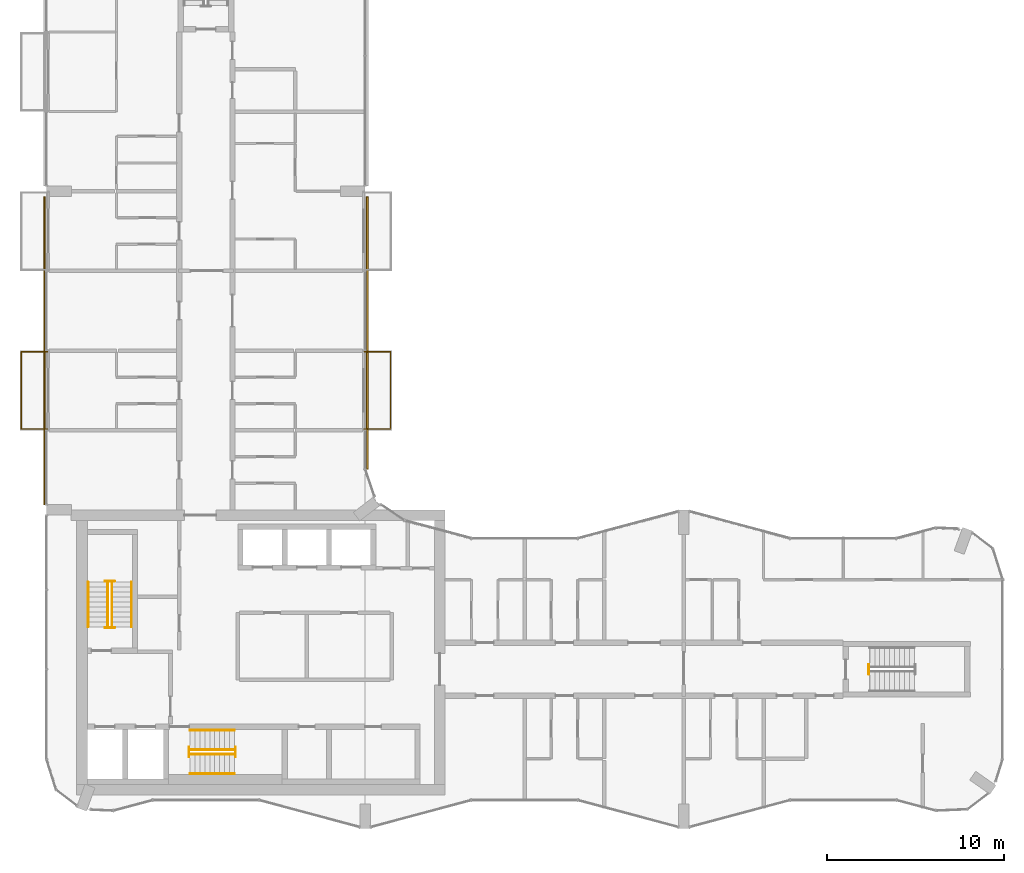
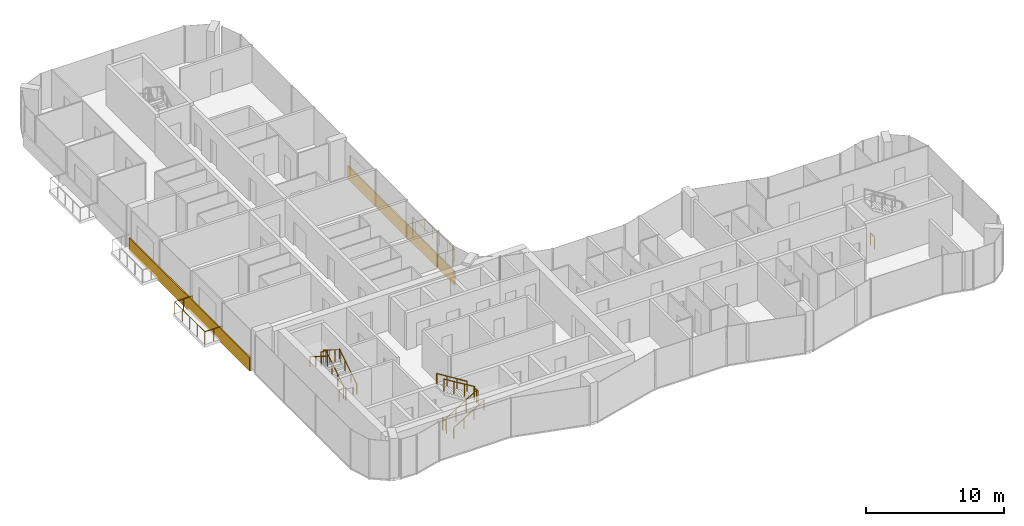
# One storey, part 14 of 16: 15 railings, 2 coverings.
"""IFC4 building model written with IfcOpenShell, lengths in metres."""

from ifc_helpers import new_model, si_unit, direction, frame, origin, origin_2d, place, context, subcontext, project, spatial, rectangle, circle, extrude, material, layer, layer_set, type_object, element, save


model = new_model("IFC4")

# Units and contexts
model_context = context("Model", 3, precision=1e-05, world=origin(), true_north=direction((0.0, 1.0)))
body_context = subcontext(model_context, "Body", "Model", "MODEL_VIEW")
ifc_project = project(units=[si_unit("LENGTHUNIT", "METRE"), si_unit("AREAUNIT", "SQUARE_METRE"), si_unit("VOLUMEUNIT", "CUBIC_METRE"), si_unit("PLANEANGLEUNIT", "RADIAN"), si_unit("MASSUNIT", "GRAM", prefix="KILO")], contexts=[model_context])

# Site, building, storey
site_placement = place(None, origin())
site = spatial("IfcSite", under=ifc_project, at=site_placement, CompositionType="ELEMENT")
building_placement = place(site_placement, origin())
building = spatial("IfcBuilding", under=site, at=building_placement, Name="Plateau Cross Towers", CompositionType="ELEMENT")
storey_placement = place(building_placement, frame((0.0, 0.0, 167.39990234375)))
storey = spatial("IfcBuildingStorey", under=building, at=storey_placement, Name="L43", CompositionType="ELEMENT", Elevation=167.39990234375)

# Railings
ifc_material_1 = material(Name="Stainless steel and toughened glass", Category="steel")
railing_type_1 = type_object("IfcRailingType", Name="Glass balustrade guard 1100", PredefinedType="GUARDRAIL", material=ifc_material_1)
railing_1_placement = place(storey_placement, frame((0.050048828125, 22.570068359375, 0.0)))
element("IfcRailing", 1, at=railing_1_placement, inside=storey, type_object=railing_type_1, Name="Guard guard1", PredefinedType="GUARDRAIL", context=body_context, shape_type="SweptSolid", body=[
    extrude(circle(Radius=0.02392578125, at=origin_2d()), frame((0.0, 0.0, 1.076171875), z_axis=(-1.0, 0.0, 0.0), x_axis=(0.0, -1.0, 0.0)), (0.0, 0.0, 1.0), 1.47998046875),
    extrude(circle(Radius=0.02392578125, at=origin_2d()), frame((-1.47998046875, 0.0, 1.076171875), z_axis=(0.0, 1.0, 0.0), x_axis=(-1.0, 0.0, 0.0)), (0.0, 0.0, 1.0), 4.35986328125),
    extrude(circle(Radius=0.02392578125, at=origin_2d()), frame((-1.47998046875, 4.35986328125, 1.076171875), z_axis=(1.0, 0.0, 0.0), x_axis=(0.0, 1.0, 0.0)), (0.0, 0.0, 1.0), 1.47998046875),
    extrude(circle(Radius=0.02099609375, at=origin_2d()), origin(), (0.0, 0.0, 1.0), 1.052001953125),
    extrude(circle(Radius=0.02099609375, at=origin_2d()), frame((-0.739990234375, 0.0, 0.0)), (0.0, 0.0, 1.0), 1.052001953125),
    extrude(circle(Radius=0.02099609375, at=origin_2d()), frame((-1.47998046875, 0.0, 0.0)), (0.0, 0.0, 1.0), 1.052001953125),
    extrude(circle(Radius=0.02099609375, at=origin_2d()), frame((-1.47998046875, 1.08984375, 0.0)), (0.0, 0.0, 1.0), 1.052001953125),
    extrude(circle(Radius=0.02099609375, at=origin_2d()), frame((-1.47998046875, 2.179931640625, 0.0)), (0.0, 0.0, 1.0), 1.052001953125),
    extrude(circle(Radius=0.02099609375, at=origin_2d()), frame((-1.47998046875, 3.27001953125, 0.0)), (0.0, 0.0, 1.0), 1.052001953125),
    extrude(circle(Radius=0.02099609375, at=origin_2d()), frame((-1.47998046875, 4.35986328125, 0.0)), (0.0, 0.0, 1.0), 1.052001953125),
    extrude(circle(Radius=0.02099609375, at=origin_2d()), frame((-0.739990234375, 4.35986328125, 0.0)), (0.0, 0.0, 1.0), 1.052001953125),
    extrude(circle(Radius=0.02099609375, at=origin_2d()), frame((0.0, 4.35986328125, 0.0)), (0.0, 0.0, 1.0), 1.052001953125),
])
railing_2_placement = place(storey_placement, frame((17.949951171875, 26.929931640625, 0.0)))
element("IfcRailing", 2, at=railing_2_placement, inside=storey, type_object=railing_type_1, Name="Guard guard1", PredefinedType="GUARDRAIL", context=body_context, shape_type="SweptSolid", body=[
    extrude(circle(Radius=0.02392578125, at=origin_2d()), frame((0.0, 0.0, 1.076171875), z_axis=(1.0, 0.0, 0.0), x_axis=(0.0, 1.0, 0.0)), (0.0, 0.0, 1.0), 1.47998046875),
    extrude(circle(Radius=0.02392578125, at=origin_2d()), frame((1.47998046875, 0.0, 1.076171875), z_axis=(0.0, -1.0, 0.0), x_axis=(1.0, 0.0, 0.0)), (0.0, 0.0, 1.0), 4.35986328125),
    extrude(circle(Radius=0.02392578125, at=origin_2d()), frame((1.47998046875, -4.35986328125, 1.076171875), z_axis=(-1.0, 0.0, 0.0), x_axis=(0.0, -1.0, 0.0)), (0.0, 0.0, 1.0), 1.47998046875),
    extrude(circle(Radius=0.02099609375, at=origin_2d()), origin(), (0.0, 0.0, 1.0), 1.052001953125),
    extrude(circle(Radius=0.02099609375, at=origin_2d()), frame((0.739990234375, 0.0, 0.0)), (0.0, 0.0, 1.0), 1.052001953125),
    extrude(circle(Radius=0.02099609375, at=origin_2d()), frame((1.47998046875, 0.0, 0.0)), (0.0, 0.0, 1.0), 1.052001953125),
    extrude(circle(Radius=0.02099609375, at=origin_2d()), frame((1.47998046875, -1.08984375, 0.0)), (0.0, 0.0, 1.0), 1.052001953125),
    extrude(circle(Radius=0.02099609375, at=origin_2d()), frame((1.47998046875, -2.179931640625, 0.0)), (0.0, 0.0, 1.0), 1.052001953125),
    extrude(circle(Radius=0.02099609375, at=origin_2d()), frame((1.47998046875, -3.27001953125, 0.0)), (0.0, 0.0, 1.0), 1.052001953125),
    extrude(circle(Radius=0.02099609375, at=origin_2d()), frame((1.47998046875, -4.35986328125, 0.0)), (0.0, 0.0, 1.0), 1.052001953125),
    extrude(circle(Radius=0.02099609375, at=origin_2d()), frame((0.739990234375, -4.35986328125, 0.0)), (0.0, 0.0, 1.0), 1.052001953125),
    extrude(circle(Radius=0.02099609375, at=origin_2d()), frame((0.0, -4.35986328125, 0.0)), (0.0, 0.0, 1.0), 1.052001953125),
])
railing_type_2 = type_object("IfcRailingType", Name="RL-GUARD-1100", PredefinedType="GUARDRAIL", material=ifc_material_1)
railing_3_placement = place(storey_placement, frame((3.699951171875, 11.39990234375, 0.175048828125)))
element("IfcRailing", 3, at=railing_3_placement, inside=storey, type_object=railing_type_2, Name="L43 ST-1 stair guard 1", PredefinedType="GUARDRAIL", context=body_context, shape_type="SweptSolid", body=[
    extrude(circle(Radius=0.02392578125, at=origin_2d()), frame((0.0, 0.0, 1.076171875), z_axis=(0.0, 0.848007534815, 0.529984170421), x_axis=(-1.0, 0.0, 0.0)), (0.0, 0.0, 1.0), 2.9716796875),
    extrude(circle(Radius=0.02099609375, at=origin_2d()), origin(), (0.0, 0.0, 1.0), 1.052001953125),
    extrude(circle(Radius=0.02099609375, at=origin_2d()), frame((0.0, 0.840087890625, 0.52490234375)), (0.0, 0.0, 1.0), 1.052001953125),
    extrude(circle(Radius=0.02099609375, at=origin_2d()), frame((0.0, 1.679931640625, 1.050048828125)), (0.0, 0.0, 1.0), 1.052001953125),
    extrude(circle(Radius=0.02099609375, at=origin_2d()), frame((0.0, 2.52001953125, 1.574951171875)), (0.0, 0.0, 1.0), 1.052001953125),
])
railing_4_placement = place(storey_placement, frame((3.85009765625, 13.969970703125, 1.75)))
element("IfcRailing", 4, at=railing_4_placement, inside=storey, type_object=railing_type_2, Name="L43 ST-1 stair guard 2", PredefinedType="GUARDRAIL", context=body_context, shape_type="SweptSolid", body=[
    extrude(circle(Radius=0.02392578125, at=origin_2d()), frame((0.0, 0.0, 1.076171875), z_axis=(-1.0, 0.0, 0.0), x_axis=(0.0, -1.0, 0.0)), (0.0, 0.0, 1.0), 0.550048828125),
    extrude(circle(Radius=0.02099609375, at=origin_2d()), origin(), (0.0, 0.0, 1.0), 1.052001953125),
    extrude(circle(Radius=0.02099609375, at=origin_2d()), frame((-0.550048828125, 0.0, 0.0)), (0.0, 0.0, 1.0), 1.052001953125),
])
railing_5_placement = place(storey_placement, frame((3.449951171875, 13.919921875, 1.925048828125)))
element("IfcRailing", 5, at=railing_5_placement, inside=storey, type_object=railing_type_2, Name="L43 ST-1 stair guard 3", PredefinedType="GUARDRAIL", context=body_context, shape_type="SweptSolid", body=[
    extrude(circle(Radius=0.02392578125, at=origin_2d()), frame((0.0, 0.0, 1.076171875), z_axis=(0.0, -0.852616386126, 0.522537365276), x_axis=(1.0, 0.0, 0.0)), (0.0, 0.0, 1.0), 3.01416015625),
    extrude(circle(Radius=0.02099609375, at=origin_2d()), origin(), (0.0, 0.0, 1.0), 1.052001953125),
    extrude(circle(Radius=0.02099609375, at=origin_2d()), frame((0.0, -0.856689453125, 0.52490234375)), (0.0, 0.0, 1.0), 1.052001953125),
    extrude(circle(Radius=0.02099609375, at=origin_2d()), frame((0.0, -1.713134765625, 1.050048828125)), (0.0, 0.0, 1.0), 1.052001953125),
    extrude(circle(Radius=0.02099609375, at=origin_2d()), frame((0.0, -2.56982421875, 1.574951171875)), (0.0, 0.0, 1.0), 1.052001953125),
])
railing_6_placement = place(storey_placement, frame((3.85009765625, 11.35009765625, 0.0)))
element("IfcRailing", 6, at=railing_6_placement, inside=storey, type_object=railing_type_2, Name="L43 ST-1 stair guard 4", PredefinedType="GUARDRAIL", context=body_context, shape_type="SweptSolid", body=[
    extrude(circle(Radius=0.02392578125, at=origin_2d()), frame((0.0, 0.0, 1.076171875), z_axis=(-1.0, 0.0, 0.0), x_axis=(0.0, -1.0, 0.0)), (0.0, 0.0, 1.0), 0.550048828125),
    extrude(circle(Radius=0.02099609375, at=origin_2d()), origin(), (0.0, 0.0, 1.0), 1.052001953125),
    extrude(circle(Radius=0.02099609375, at=origin_2d()), frame((-0.550048828125, 0.0, 0.0)), (0.0, 0.0, 1.0), 1.052001953125),
])
railing_7_placement = place(storey_placement, frame((8.10009765625, 4.199951171875, 0.175048828125)))
element("IfcRailing", 7, at=railing_7_placement, inside=storey, type_object=railing_type_2, Name="L43 ST-2 stair guard 1", PredefinedType="GUARDRAIL", context=body_context, shape_type="SweptSolid", body=[
    extrude(circle(Radius=0.02392578125, at=origin_2d()), frame((0.0, 0.0, 1.076171875), z_axis=(0.848007534815, 0.0, 0.529984170421), x_axis=(0.0, 1.0, 0.0)), (0.0, 0.0, 1.0), 2.9716796875),
    extrude(circle(Radius=0.02099609375, at=origin_2d()), origin(), (0.0, 0.0, 1.0), 1.052001953125),
    extrude(circle(Radius=0.02099609375, at=origin_2d()), frame((0.840087890625, 0.0, 0.52490234375)), (0.0, 0.0, 1.0), 1.052001953125),
    extrude(circle(Radius=0.02099609375, at=origin_2d()), frame((1.679931640625, 0.0, 1.050048828125)), (0.0, 0.0, 1.0), 1.052001953125),
    extrude(circle(Radius=0.02099609375, at=origin_2d()), frame((2.52001953125, 0.0, 1.574951171875)), (0.0, 0.0, 1.0), 1.052001953125),
])
railing_8_placement = place(storey_placement, frame((10.669921875, 4.050048828125, 1.75)))
element("IfcRailing", 8, at=railing_8_placement, inside=storey, type_object=railing_type_2, Name="L43 ST-2 stair guard 2", PredefinedType="GUARDRAIL", context=body_context, shape_type="SweptSolid", body=[
    extrude(circle(Radius=0.02392578125, at=origin_2d()), frame((0.0, 0.0, 1.076171875), z_axis=(0.0, 1.0, 0.0), x_axis=(-1.0, 0.0, 0.0)), (0.0, 0.0, 1.0), 0.550048828125),
    extrude(circle(Radius=0.02099609375, at=origin_2d()), origin(), (0.0, 0.0, 1.0), 1.052001953125),
    extrude(circle(Radius=0.02099609375, at=origin_2d()), frame((0.0, 0.550048828125, 0.0)), (0.0, 0.0, 1.0), 1.052001953125),
])
railing_9_placement = place(storey_placement, frame((10.6201171875, 4.449951171875, 1.925048828125)))
element("IfcRailing", 9, at=railing_9_placement, inside=storey, type_object=railing_type_2, Name="L43 ST-2 stair guard 3", PredefinedType="GUARDRAIL", context=body_context, shape_type="SweptSolid", body=[
    extrude(circle(Radius=0.02392578125, at=origin_2d()), frame((0.0, 0.0, 1.076171875), z_axis=(-0.852638500773, 0.0, 0.522501279423), x_axis=(0.0, -1.0, 0.0)), (0.0, 0.0, 1.0), 3.01416015625),
    extrude(circle(Radius=0.02099609375, at=origin_2d()), origin(), (0.0, 0.0, 1.0), 1.052001953125),
    extrude(circle(Radius=0.02099609375, at=origin_2d()), frame((-0.856689453125, 0.0, 0.52490234375)), (0.0, 0.0, 1.0), 1.052001953125),
    extrude(circle(Radius=0.02099609375, at=origin_2d()), frame((-1.71337890625, 0.0, 1.050048828125)), (0.0, 0.0, 1.0), 1.052001953125),
    extrude(circle(Radius=0.02099609375, at=origin_2d()), frame((-2.570068359375, 0.0, 1.574951171875)), (0.0, 0.0, 1.0), 1.052001953125),
])
railing_10_placement = place(storey_placement, frame((8.050048828125, 4.050048828125, 0.0)))
element("IfcRailing", 10, at=railing_10_placement, inside=storey, type_object=railing_type_2, Name="L43 ST-2 stair guard 4", PredefinedType="GUARDRAIL", context=body_context, shape_type="SweptSolid", body=[
    extrude(circle(Radius=0.02392578125, at=origin_2d()), frame((0.0, 0.0, 1.076171875), z_axis=(0.0, 1.0, 0.0), x_axis=(-1.0, 0.0, 0.0)), (0.0, 0.0, 1.0), 0.550048828125),
    extrude(circle(Radius=0.02099609375, at=origin_2d()), origin(), (0.0, 0.0, 1.0), 1.052001953125),
    extrude(circle(Radius=0.02099609375, at=origin_2d()), frame((0.0, 0.550048828125, 0.0)), (0.0, 0.0, 1.0), 1.052001953125),
])
railing_11_placement = place(storey_placement, frame((46.449951171875, 8.72509765625, 0.0)))
element("IfcRailing", 11, at=railing_11_placement, inside=storey, type_object=railing_type_2, Name="L43 ES-E stair guard 4", PredefinedType="GUARDRAIL", context=body_context, shape_type="SweptSolid", body=[
    extrude(circle(Radius=0.02392578125, at=origin_2d()), frame((0.0, 0.0, 1.076171875), z_axis=(0.0, 1.0, 0.0), x_axis=(-1.0, 0.0, 0.0)), (0.0, 0.0, 1.0), 0.5498046875),
    extrude(circle(Radius=0.02099609375, at=origin_2d()), origin(), (0.0, 0.0, 1.0), 1.052001953125),
    extrude(circle(Radius=0.02099609375, at=origin_2d()), frame((0.0, 0.5498046875, 0.0)), (0.0, 0.0, 1.0), 1.052001953125),
])
ifc_material_2 = material(Name="Black anodised aluminium", Category="aluminium")
railing_type_3 = type_object("IfcRailingType", Name="RL-HANDRAIL-900", PredefinedType="HANDRAIL", material=ifc_material_2)
railing_12_placement = place(storey_placement, frame((4.800048828125, 11.39990234375, 0.175048828125)))
element("IfcRailing", 12, at=railing_12_placement, inside=storey, type_object=railing_type_3, Name="L43 ST-1 stair handrail 1", PredefinedType="HANDRAIL", context=body_context, shape_type="SweptSolid", body=[
    extrude(circle(Radius=0.02392578125, at=origin_2d()), frame((0.0, 0.0, 0.8759765625), z_axis=(0.0, 0.848007534815, 0.529984170421), x_axis=(-1.0, 0.0, 0.0)), (0.0, 0.0, 1.0), 2.9716796875),
    extrude(circle(Radius=0.02099609375, at=origin_2d()), origin(), (0.0, 0.0, 1.0), 0.851806640625),
    extrude(circle(Radius=0.02099609375, at=origin_2d()), frame((0.0, 0.840087890625, 0.52490234375)), (0.0, 0.0, 1.0), 0.851806640625),
    extrude(circle(Radius=0.02099609375, at=origin_2d()), frame((0.0, 1.679931640625, 1.050048828125)), (0.0, 0.0, 1.0), 0.851806640625),
    extrude(circle(Radius=0.02099609375, at=origin_2d()), frame((0.0, 2.52001953125, 1.574951171875)), (0.0, 0.0, 1.0), 0.851806640625),
])
railing_13_placement = place(storey_placement, frame((2.35009765625, 13.919921875, 1.925048828125)))
element("IfcRailing", 13, at=railing_13_placement, inside=storey, type_object=railing_type_3, Name="L43 ST-1 stair handrail 2", PredefinedType="HANDRAIL", context=body_context, shape_type="SweptSolid", body=[
    extrude(circle(Radius=0.02392578125, at=origin_2d()), frame((0.0, 0.0, 0.8759765625), z_axis=(0.0, -0.848007534815, 0.529984170421), x_axis=(1.0, 0.0, 0.0)), (0.0, 0.0, 1.0), 2.9716796875),
    extrude(circle(Radius=0.02099609375, at=origin_2d()), origin(), (0.0, 0.0, 1.0), 0.851806640625),
    extrude(circle(Radius=0.02099609375, at=origin_2d()), frame((0.0, -0.840087890625, 0.52490234375)), (0.0, 0.0, 1.0), 0.851806640625),
    extrude(circle(Radius=0.02099609375, at=origin_2d()), frame((0.0, -1.679931640625, 1.050048828125)), (0.0, 0.0, 1.0), 0.851806640625),
    extrude(circle(Radius=0.02099609375, at=origin_2d()), frame((0.0, -2.52001953125, 1.574951171875)), (0.0, 0.0, 1.0), 0.851806640625),
])
railing_14_placement = place(storey_placement, frame((8.10009765625, 3.10009765625, 0.175048828125)))
element("IfcRailing", 14, at=railing_14_placement, inside=storey, type_object=railing_type_3, Name="L43 ST-2 stair handrail 1", PredefinedType="HANDRAIL", context=body_context, shape_type="SweptSolid", body=[
    extrude(circle(Radius=0.02392578125, at=origin_2d()), frame((0.0, 0.0, 0.8759765625), z_axis=(0.848007534815, 0.0, 0.529984170421), x_axis=(0.0, 1.0, 0.0)), (0.0, 0.0, 1.0), 2.9716796875),
    extrude(circle(Radius=0.02099609375, at=origin_2d()), origin(), (0.0, 0.0, 1.0), 0.851806640625),
    extrude(circle(Radius=0.02099609375, at=origin_2d()), frame((0.840087890625, 0.0, 0.52490234375)), (0.0, 0.0, 1.0), 0.851806640625),
    extrude(circle(Radius=0.02099609375, at=origin_2d()), frame((1.679931640625, 0.0, 1.050048828125)), (0.0, 0.0, 1.0), 0.851806640625),
    extrude(circle(Radius=0.02099609375, at=origin_2d()), frame((2.52001953125, 0.0, 1.574951171875)), (0.0, 0.0, 1.0), 0.851806640625),
])
railing_15_placement = place(storey_placement, frame((10.6201171875, 5.550048828125, 1.925048828125)))
element("IfcRailing", 15, at=railing_15_placement, inside=storey, type_object=railing_type_3, Name="L43 ST-2 stair handrail 2", PredefinedType="HANDRAIL", context=body_context, shape_type="SweptSolid", body=[
    extrude(circle(Radius=0.02392578125, at=origin_2d()), frame((0.0, 0.0, 0.8759765625), z_axis=(-0.848007534815, 0.0, 0.529984170421), x_axis=(0.0, -1.0, 0.0)), (0.0, 0.0, 1.0), 2.9716796875),
    extrude(circle(Radius=0.02099609375, at=origin_2d()), origin(), (0.0, 0.0, 1.0), 0.851806640625),
    extrude(circle(Radius=0.02099609375, at=origin_2d()), frame((-0.840087890625, 0.0, 0.52490234375)), (0.0, 0.0, 1.0), 0.851806640625),
    extrude(circle(Radius=0.02099609375, at=origin_2d()), frame((-1.679931640625, 0.0, 1.050048828125)), (0.0, 0.0, 1.0), 0.851806640625),
    extrude(circle(Radius=0.02099609375, at=origin_2d()), frame((-2.52001953125, 0.0, 1.574951171875)), (0.0, 0.0, 1.0), 0.851806640625),
])

# Coverings
ifc_material_3 = material(Name="Precast concrete cladding C40/50", Category="concrete")
ifc_layer = layer(ifc_material_3, 0.10009765625)
ifc_layer_set = layer_set([ifc_layer], Name="Precast concrete cladding C40/50")
covering_type = type_object("IfcCoveringType", Name="Spandrel band cladding 100x1200", PredefinedType="CLADDING", material=ifc_layer_set)
covering_1_placement = place(storey_placement, frame((18.1201171875, 28.001220703125, -0.25), z_axis=(0.0, 0.0, 1.0), x_axis=(0.0, 1.0, 0.0)))
element("IfcCovering", 16, at=covering_1_placement, inside=storey, type_object=covering_type, Name="Spandrel band", PredefinedType="CLADDING", context=body_context, shape_type="SweptSolid", body=[
    extrude(rectangle(XDim=15.397705078125, YDim=0.10009765625, at=origin_2d()), origin(), (0.0, 0.0, 1.0), 1.199951171875),
])
covering_2_placement = place(storey_placement, frame((-0.1201171875, 27.0, -0.25), z_axis=(0.0, 0.0, 1.0), x_axis=(0.0, -1.0, 0.0)))
element("IfcCovering", 17, at=covering_2_placement, inside=storey, type_object=covering_type, Name="Spandrel band", PredefinedType="CLADDING", context=body_context, shape_type="SweptSolid", body=[
    extrude(rectangle(XDim=17.39990234375, YDim=0.10009765625, at=origin_2d()), origin(), (0.0, 0.0, 1.0), 1.199951171875),
])

save(model, "model.ifc")
